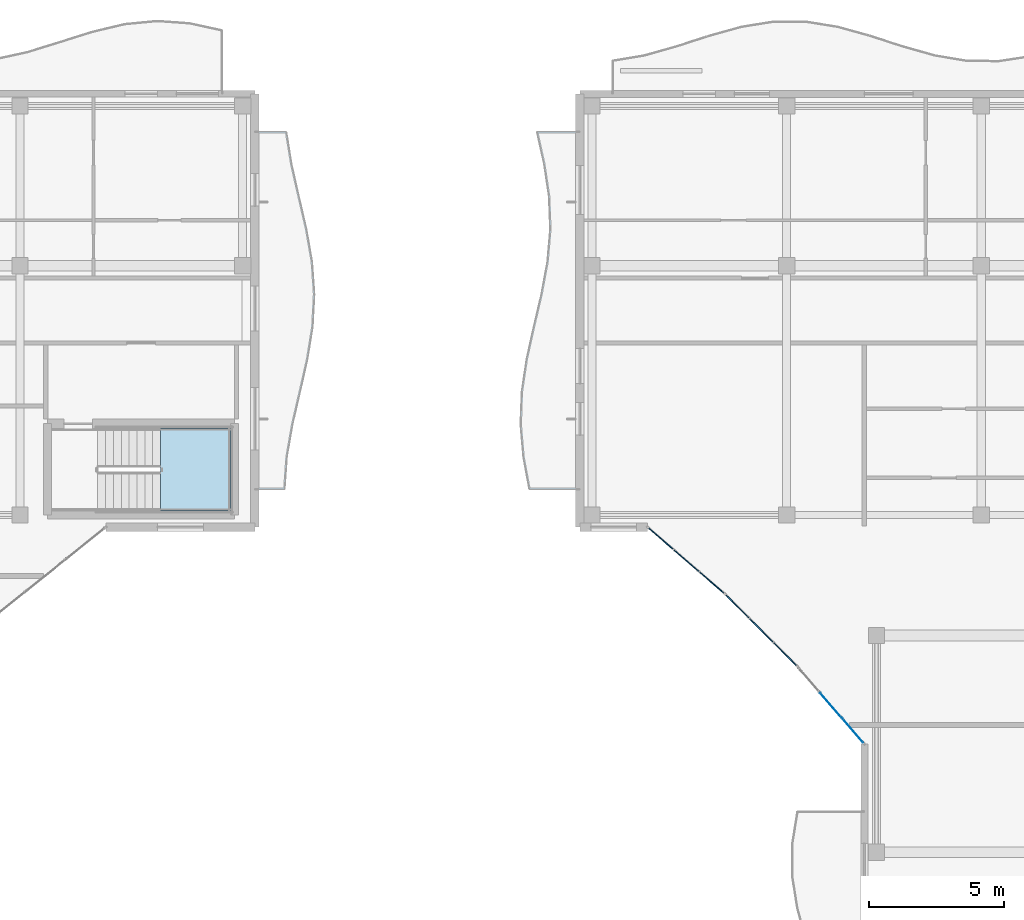
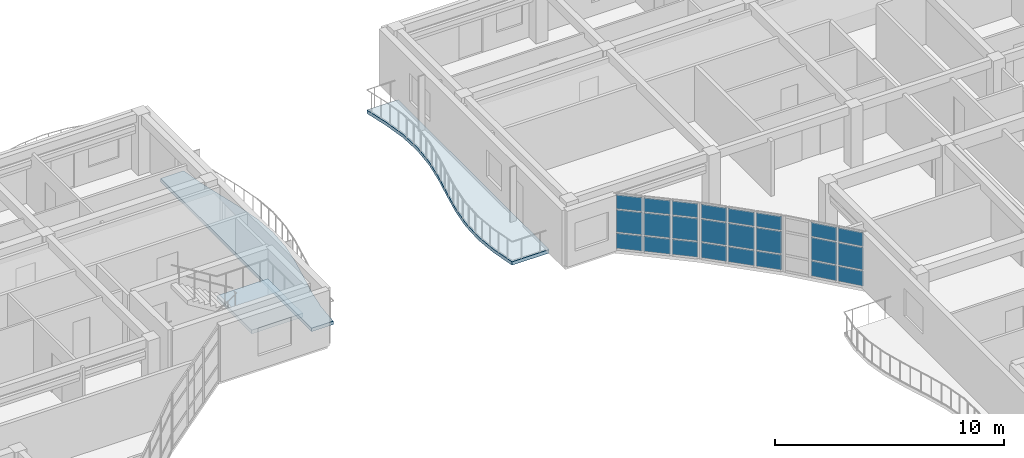
# One storey, part 26 of 71: 24 plates, 3 slabs, 4 elements without a shape of their own.
"""IFC4 building model written with IfcOpenShell, lengths in metres."""

import ifcopenshell
import ifcopenshell.guid

model = None  # the IFC model being written
_history = None  # IfcOwnerHistory: only IFC2X3 demands one
_inside = {}  # id of a spatial element -> (the spatial element, [elements in it])
_under = {}  # id of a project, library or spatial element -> (it, [spatial elements below it])
_declared = {}  # id of a project -> (the project, [libraries it declares])
_typed = {}  # id of a type object -> (the type object, [elements of that type])
_made_of = {}  # id of a material, layer set ... -> (it, [elements and type objects made of it])


def new_model(schema):
    """Start an empty IFC model of exactly this schema.

    Asked for "IFC4X3", IfcOpenShell would pick the latest addendum, in which some entities
    have other attributes; the version numbers below select the first issue.
    IFC2X3 requires an IfcOwnerHistory on every rooted entity: one is made here for all.
    """
    global model, _history
    if schema == "IFC4X3":
        model = ifcopenshell.file(schema_version=(4, 3, 0, 0))
    else:
        model = ifcopenshell.file(schema=schema)
    _inside.clear()
    _under.clear()
    _declared.clear()
    _typed.clear()
    _made_of.clear()
    _history = None
    if model.schema == "IFC2X3":
        org = make("IfcOrganization", Name="unknown")
        user = make(
            "IfcPersonAndOrganization",
            ThePerson=make("IfcPerson", FamilyName="unknown"),
            TheOrganization=org,
        )
        app = make(
            "IfcApplication",
            ApplicationDeveloper=org,
            Version="unknown",
            ApplicationFullName="unknown",
            ApplicationIdentifier="unknown",
        )
        _history = make(
            "IfcOwnerHistory",
            OwningUser=user,
            OwningApplication=app,
            ChangeAction="ADDED",
            CreationDate=0,
        )
    return model


def make(cls, **values):
    """One entity of the class cls with the attributes given. An attribute that is None is left unset."""
    return model.create_entity(
        cls, **{name: value for name, value in values.items() if value is not None}
    )


def rooted(cls, **values):
    """An entity with a GlobalId (a new one), such as an element, a storey or a relation."""
    return make(cls, GlobalId=ifcopenshell.guid.new(), OwnerHistory=_history, **values)


def si_unit(unit_type, name, prefix=None):
    """IfcSIUnit, for example si_unit("LENGTHUNIT", "METRE", prefix="MILLI")."""
    return make("IfcSIUnit", UnitType=unit_type, Prefix=prefix, Name=name)


def assignment(units):
    """IfcUnitAssignment: the units of a project."""
    return None if units is None else make("IfcUnitAssignment", Units=units)


def point(xyz):
    """IfcCartesianPoint."""
    return None if xyz is None else make("IfcCartesianPoint", Coordinates=xyz)


def direction(xyz):
    """IfcDirection."""
    return None if xyz is None else make("IfcDirection", DirectionRatios=xyz)


def frame(location, z_axis=None, x_axis=None):
    """IfcAxis2Placement3D, a coordinate frame: its origin and axes. An axis left out is left unset."""
    return make(
        "IfcAxis2Placement3D",
        Location=point(location),
        Axis=direction(z_axis),
        RefDirection=direction(x_axis),
    )


def frame_2d(location, x_axis=None):
    """IfcAxis2Placement2D, a coordinate frame in the plane: its origin and x axis."""
    return make(
        "IfcAxis2Placement2D", Location=point(location), RefDirection=direction(x_axis)
    )


def origin():
    """The frame at (0, 0, 0) with its axes left unset."""
    return frame((0.0, 0.0, 0.0))


def origin_2d():
    """The frame at (0, 0) in the plane with its x axis left unset."""
    return frame_2d((0.0, 0.0))


def place(relative_to, where):
    """IfcLocalPlacement: puts the frame where relative to a parent placement (None: the world)."""
    return make(
        "IfcLocalPlacement", PlacementRelTo=relative_to, RelativePlacement=where
    )


def context(
    kind, dimensions, precision=None, world=None, true_north=None, identifier=None
):
    """IfcGeometricRepresentationContext, for example the 3D "Model" context."""
    return make(
        "IfcGeometricRepresentationContext",
        ContextIdentifier=identifier,
        ContextType=kind,
        CoordinateSpaceDimension=dimensions,
        Precision=precision,
        WorldCoordinateSystem=world,
        TrueNorth=true_north,
    )


def subcontext(parent, identifier, kind, view, scale=None):
    """IfcGeometricRepresentationSubContext, for example "Body" below "Model"."""
    return make(
        "IfcGeometricRepresentationSubContext",
        ContextIdentifier=identifier,
        ContextType=kind,
        ParentContext=parent,
        TargetScale=scale,
        TargetView=view,
    )


def project(units=None, contexts=None):
    """IfcProject with its units and contexts."""
    return rooted(
        "IfcProject",
        Name="project",
        RepresentationContexts=contexts,
        UnitsInContext=assignment(units),
    )


def spatial(cls, under=None, at=None, **own):
    """A site, building, storey or space (cls), placed at a placement, below another one or the project."""
    s = rooted(cls, ObjectPlacement=at, **own)
    if under is not None:
        _under.setdefault(under.id(), (under, []))[1].append(s)
    return s


def polyline(points):
    """IfcPolyline through the points."""
    return make("IfcPolyline", Points=[point(p) for p in points])


def profile(cls, at=None, kind="AREA", **sizes):
    """A parametric profile (cls). Its sizes go by their IFC names, for example OverallWidth=200.0."""
    return make(cls, ProfileType=kind, Position=at, **sizes)


def rectangle(**sizes):
    """IfcRectangleProfileDef."""
    return profile("IfcRectangleProfileDef", **sizes)


def outline(outer, holes=None, kind="AREA"):
    """IfcArbitraryClosedProfileDef: a profile drawn as a closed curve; with holes, ...WithVoids."""
    if holes is None:
        return make("IfcArbitraryClosedProfileDef", ProfileType=kind, OuterCurve=outer)
    return make(
        "IfcArbitraryProfileDefWithVoids",
        ProfileType=kind,
        OuterCurve=outer,
        InnerCurves=holes,
    )


def extrude(swept, where, along, depth):
    """IfcExtrudedAreaSolid: the profile swept, set in the frame where, extruded along a direction by depth."""
    return make(
        "IfcExtrudedAreaSolid",
        SweptArea=swept,
        Position=where,
        ExtrudedDirection=direction(along),
        Depth=depth,
    )


def shape(context_of_items, identifier, shape_type, items):
    """IfcShapeRepresentation: the items that make up one representation, for example the "Body"."""
    return make(
        "IfcShapeRepresentation",
        ContextOfItems=context_of_items,
        RepresentationIdentifier=identifier,
        RepresentationType=shape_type,
        Items=items,
    )


def material(Name=None, Category=None):
    """IfcMaterial."""
    return make("IfcMaterial", Name=Name, Category=Category)


def layer(
    of_material, thickness, ventilated=None, Name=None, Category=None, Priority=None
):
    """IfcMaterialLayer: one layer of a wall or slab, of a material (None: an air gap)."""
    return make(
        "IfcMaterialLayer",
        Material=of_material,
        LayerThickness=thickness,
        IsVentilated=ventilated,
        Name=Name,
        Category=Category,
        Priority=Priority,
    )


def layer_set(layers, Name=None):
    """IfcMaterialLayerSet."""
    return make("IfcMaterialLayerSet", MaterialLayers=layers, LayerSetName=Name)


def made_of(thing, what):
    """Note that an element or type object is made of a material, layer set ...; save() writes the relation."""
    if what is not None:
        _made_of.setdefault(what.id(), (what, []))[1].append(thing)
    return thing


def type_object(cls, material=None, **own):
    """A type object (cls), such as IfcWallType, which elements share."""
    return made_of(rooted(cls, **own), material)


def element(
    cls,
    number,
    at=None,
    inside=None,
    cuts=None,
    type_object=None,
    material=None,
    context=None,
    identifier="Body",
    shape_type=None,
    held_by="IfcProductDefinitionShape",
    body=None,
    shapes=None,
    **own,
):
    """One element of the class cls, such as IfcWall. Its Tag is "e" and its number.

    at: its placement. inside: the storey or other place that contains it. cuts: it is an
    opening in that element (IfcRelVoidsElement). A single representation is given by context,
    identifier, shape_type and body (its items); several are given by shapes. held_by: the class
    of the entity that holds the representations. save() writes the other relations.
    """
    e = rooted(cls, Tag="e%d" % number, ObjectPlacement=at, **own)
    if body is not None:
        shapes = [shape(context, identifier, shape_type, body)]
    if shapes is not None:
        e.Representation = make(held_by, Representations=shapes)
    if inside is not None:
        _inside.setdefault(inside.id(), (inside, []))[1].append(e)
    if cuts is not None:
        rooted(
            "IfcRelVoidsElement", RelatingBuildingElement=cuts, RelatedOpeningElement=e
        )
    if type_object is not None:
        _typed.setdefault(type_object.id(), (type_object, []))[1].append(e)
    return made_of(e, material)


def aggregate(whole, parts):
    """IfcRelAggregates: a whole, such as a stair, and the parts it consists of."""
    return rooted("IfcRelAggregates", RelatingObject=whole, RelatedObjects=parts)


def save(model, path):
    """Write the relations noted so far, then the file.

    IfcRelAggregates (storeys below a building ...), IfcRelContainedInSpatialStructure (elements
    in a storey), IfcRelDefinesByType, IfcRelAssociatesMaterial and IfcRelDeclares: one each for
    every whole, place, type object, material and project.
    """
    for whole, parts in _under.values():
        aggregate(whole, parts)
    for where, things in _inside.values():
        rooted(
            "IfcRelContainedInSpatialStructure",
            RelatedElements=things,
            RelatingStructure=where,
        )
    for kind, things in _typed.values():
        rooted("IfcRelDefinesByType", RelatedObjects=things, RelatingType=kind)
    for what, things in _made_of.values():
        rooted("IfcRelAssociatesMaterial", RelatedObjects=things, RelatingMaterial=what)
    for by, libraries in _declared.values():
        rooted("IfcRelDeclares", RelatingContext=by, RelatedDefinitions=libraries)
    model.write(path)


model = new_model("IFC4")

# Units and contexts
model_context = context("Model", 3, precision=1e-05, world=origin(), true_north=direction((0.0, 1.0)))
body_context = subcontext(model_context, "Body", "Model", "MODEL_VIEW")
ifc_project = project(units=[si_unit("LENGTHUNIT", "METRE"), si_unit("AREAUNIT", "SQUARE_METRE"), si_unit("VOLUMEUNIT", "CUBIC_METRE"), si_unit("PLANEANGLEUNIT", "RADIAN"), si_unit("MASSUNIT", "GRAM", prefix="KILO")], contexts=[model_context])

# Site, building, storey
site_placement = place(None, origin())
site = spatial("IfcSite", under=ifc_project, at=site_placement, CompositionType="ELEMENT")
building_placement = place(site_placement, origin())
building = spatial("IfcBuilding", under=site, at=building_placement, Name="Keldmere Railside Commons", CompositionType="ELEMENT")
storey_placement = place(building_placement, frame((0.0, 0.0, 20.159912109375)))
storey = spatial("IfcBuildingStorey", under=building, at=storey_placement, Name="L06", CompositionType="ELEMENT", Elevation=20.159912109375)

# Curtain wall, plates
ifc_material_1 = material(Name="Thermally Broken Aluminium", Category="aluminium")
ifc_layer_1 = layer(ifc_material_1, 0.159912109375, Name="Court Chord Wintergarden CW 4800x2850")
ifc_layer_set_1 = layer_set([ifc_layer_1], Name="Thermally Broken Aluminium")
curtain_wall_type_1 = type_object("IfcCurtainWallType", Name="Court Chord Wintergarden CW 4800x2850", PredefinedType="NOTDEFINED", material=ifc_layer_set_1)
curtain_wall_1_placement = place(storey_placement, origin())
curtain_wall_1 = element("IfcCurtainWall", 1, at=curtain_wall_1_placement, inside=storey, type_object=curtain_wall_type_1, Name="CW-12 CW-L06-124", PredefinedType="NOTDEFINED")
ifc_material_2 = material(Name="Low-E Insulated Double Glazing", Category="glass")
ifc_layer_2 = layer(ifc_material_2, 0.033935546875, Name="Acoustic Laminated Vision Panel 34")
ifc_layer_set_2 = layer_set([ifc_layer_2], Name="Low-E Insulated Double Glazing")
plate_type_1 = type_object("IfcPlateType", Name="Acoustic Laminated Vision Panel 34", PredefinedType="CURTAIN_PANEL", material=ifc_layer_set_2)
plate_1_placement = place(storey_placement, frame((98.369384765625, 97.952392578125, 0.06494140625), z_axis=(0.0, 0.0, 1.0), x_axis=(-0.756596767584, 0.653881741053, 0.0)))
plate_1 = element("IfcPlate", 2, at=plate_1_placement, type_object=plate_type_1, Name="CW-12 panel 1.1", PredefinedType="CURTAIN_PANEL", context=body_context, shape_type="SweptSolid", body=[
    extrude(rectangle(XDim=1.16162109375, YDim=0.033935546875, at=origin_2d()), origin(), (0.0, 0.0, 1.0), 0.802490234375),
])
plate_2_placement = place(storey_placement, frame((98.369384765625, 97.952392578125, 0.9326171875), z_axis=(0.0, 0.0, 1.0), x_axis=(-0.756596767584, 0.653881741053, 0.0)))
plate_2 = element("IfcPlate", 3, at=plate_2_placement, type_object=plate_type_1, Name="CW-12 panel 1.2", PredefinedType="CURTAIN_PANEL", context=body_context, shape_type="SweptSolid", body=[
    extrude(rectangle(XDim=1.16162109375, YDim=0.033935546875, at=origin_2d()), origin(), (0.0, 0.0, 1.0), 1.18505859375),
])
plate_3_placement = place(storey_placement, frame((98.369384765625, 97.952392578125, 2.1826171875), z_axis=(0.0, 0.0, 1.0), x_axis=(-0.756596767584, 0.653881741053, 0.0)))
plate_3 = element("IfcPlate", 4, at=plate_3_placement, type_object=plate_type_1, Name="CW-12 panel 1.3", PredefinedType="CURTAIN_PANEL", context=body_context, shape_type="SweptSolid", body=[
    extrude(rectangle(XDim=1.16162109375, YDim=0.033935546875, at=origin_2d()), origin(), (0.0, 0.0, 1.0), 0.732421875),
])
plate_4_placement = place(storey_placement, frame((97.428955078125, 98.764892578125, 0.06494140625), z_axis=(0.0, 0.0, 1.0), x_axis=(-0.756596767584, 0.653881741053, 0.0)))
plate_4 = element("IfcPlate", 5, at=plate_4_placement, type_object=plate_type_1, Name="CW-12 panel 2.1", PredefinedType="CURTAIN_PANEL", context=body_context, shape_type="SweptSolid", body=[
    extrude(rectangle(XDim=1.194091796875, YDim=0.033935546875, at=origin_2d()), origin(), (0.0, 0.0, 1.0), 0.802490234375),
])
plate_5_placement = place(storey_placement, frame((97.428955078125, 98.764892578125, 0.9326171875), z_axis=(0.0, 0.0, 1.0), x_axis=(-0.756596767584, 0.653881741053, 0.0)))
plate_5 = element("IfcPlate", 6, at=plate_5_placement, type_object=plate_type_1, Name="CW-12 panel 2.2", PredefinedType="CURTAIN_PANEL", context=body_context, shape_type="SweptSolid", body=[
    extrude(rectangle(XDim=1.194091796875, YDim=0.033935546875, at=origin_2d()), origin(), (0.0, 0.0, 1.0), 1.18505859375),
])
plate_6_placement = place(storey_placement, frame((97.428955078125, 98.764892578125, 2.1826171875), z_axis=(0.0, 0.0, 1.0), x_axis=(-0.756596767584, 0.653881741053, 0.0)))
plate_6 = element("IfcPlate", 7, at=plate_6_placement, type_object=plate_type_1, Name="CW-12 panel 2.3", PredefinedType="CURTAIN_PANEL", context=body_context, shape_type="SweptSolid", body=[
    extrude(rectangle(XDim=1.194091796875, YDim=0.033935546875, at=origin_2d()), origin(), (0.0, 0.0, 1.0), 0.732421875),
])
plate_7_placement = place(storey_placement, frame((96.488525390625, 99.57763671875, 0.06494140625), z_axis=(0.0, 0.0, 1.0), x_axis=(-0.756596767584, 0.653881741053, 0.0)))
plate_7 = element("IfcPlate", 8, at=plate_7_placement, type_object=plate_type_1, Name="CW-12 panel 3.1", PredefinedType="CURTAIN_PANEL", context=body_context, shape_type="SweptSolid", body=[
    extrude(rectangle(XDim=1.16162109375, YDim=0.033935546875, at=origin_2d()), origin(), (0.0, 0.0, 1.0), 0.802490234375),
])
plate_8_placement = place(storey_placement, frame((96.488525390625, 99.57763671875, 0.9326171875), z_axis=(0.0, 0.0, 1.0), x_axis=(-0.756596767584, 0.653881741053, 0.0)))
plate_8 = element("IfcPlate", 9, at=plate_8_placement, type_object=plate_type_1, Name="CW-12 panel 3.2", PredefinedType="CURTAIN_PANEL", context=body_context, shape_type="SweptSolid", body=[
    extrude(rectangle(XDim=1.16162109375, YDim=0.033935546875, at=origin_2d()), origin(), (0.0, 0.0, 1.0), 1.18505859375),
])
plate_9_placement = place(storey_placement, frame((96.488525390625, 99.57763671875, 2.1826171875), z_axis=(0.0, 0.0, 1.0), x_axis=(-0.756596767584, 0.653881741053, 0.0)))
plate_9 = element("IfcPlate", 10, at=plate_9_placement, type_object=plate_type_1, Name="CW-12 panel 3.3", PredefinedType="CURTAIN_PANEL", context=body_context, shape_type="SweptSolid", body=[
    extrude(rectangle(XDim=1.16162109375, YDim=0.033935546875, at=origin_2d()), origin(), (0.0, 0.0, 1.0), 0.732421875),
])
aggregate(curtain_wall_1, [plate_1, plate_2, plate_3, plate_4, plate_5, plate_6, plate_7, plate_8, plate_9])

ifc_layer_3 = layer(ifc_material_1, 0.159912109375, Name="Court Chord Wintergarden CW 5400x2850")
ifc_layer_set_3 = layer_set([ifc_layer_3], Name="Thermally Broken Aluminium")
curtain_wall_type_2 = type_object("IfcCurtainWallType", Name="Court Chord Wintergarden CW 5400x2850", PredefinedType="NOTDEFINED", material=ifc_layer_set_3)
curtain_wall_2_placement = place(storey_placement, origin())
curtain_wall_2 = element("IfcCurtainWall", 11, at=curtain_wall_2_placement, inside=storey, type_object=curtain_wall_type_2, Name="CW-13 CW-L06-125", PredefinedType="NOTDEFINED")
ifc_layer_4 = layer(ifc_material_2, 0.031982421875, Name="Clerestory Solar-Control Vision Panel 32")
ifc_layer_set_4 = layer_set([ifc_layer_4], Name="Low-E Insulated Double Glazing")
plate_type_2 = type_object("IfcPlateType", Name="Clerestory Solar-Control Vision Panel 32", PredefinedType="CURTAIN_PANEL", material=ifc_layer_set_4)
plate_10_placement = place(storey_placement, frame((101.0732421875, 95.31494140625, 0.06494140625), z_axis=(0.0, 0.0, 1.0), x_axis=(-0.707106781187, 0.707106781187, 0.0)))
plate_10 = element("IfcPlate", 12, at=plate_10_placement, type_object=plate_type_2, Name="CW-13 panel 1.1", PredefinedType="CURTAIN_PANEL", context=body_context, shape_type="SweptSolid", body=[
    extrude(rectangle(XDim=1.162109375, YDim=0.031982421875, at=origin_2d()), origin(), (0.0, 0.0, 1.0), 0.802490234375),
])
plate_11_placement = place(storey_placement, frame((101.0732421875, 95.31494140625, 0.9326171875), z_axis=(0.0, 0.0, 1.0), x_axis=(-0.707106781187, 0.707106781187, 0.0)))
plate_11 = element("IfcPlate", 13, at=plate_11_placement, type_object=plate_type_2, Name="CW-13 panel 1.2", PredefinedType="CURTAIN_PANEL", context=body_context, shape_type="SweptSolid", body=[
    extrude(rectangle(XDim=1.162109375, YDim=0.031982421875, at=origin_2d()), origin(), (0.0, 0.0, 1.0), 1.18505859375),
])
plate_12_placement = place(storey_placement, frame((101.0732421875, 95.31494140625, 2.1826171875), z_axis=(0.0, 0.0, 1.0), x_axis=(-0.707106781187, 0.707106781187, 0.0)))
plate_12 = element("IfcPlate", 14, at=plate_12_placement, type_object=plate_type_2, Name="CW-13 panel 1.3", PredefinedType="CURTAIN_PANEL", context=body_context, shape_type="SweptSolid", body=[
    extrude(rectangle(XDim=1.162109375, YDim=0.031982421875, at=origin_2d()), origin(), (0.0, 0.0, 1.0), 0.732421875),
])
plate_13_placement = place(storey_placement, frame((100.194091796875, 96.194091796875, 0.06494140625), z_axis=(0.0, 0.0, 1.0), x_axis=(-0.707106781187, 0.707106781187, 0.0)))
plate_13 = element("IfcPlate", 15, at=plate_13_placement, type_object=plate_type_2, Name="CW-13 panel 2.1", PredefinedType="CURTAIN_PANEL", context=body_context, shape_type="SweptSolid", body=[
    extrude(rectangle(XDim=1.194580078125, YDim=0.031982421875, at=origin_2d()), origin(), (0.0, 0.0, 1.0), 0.802490234375),
])
plate_14_placement = place(storey_placement, frame((100.194091796875, 96.194091796875, 0.9326171875), z_axis=(0.0, 0.0, 1.0), x_axis=(-0.707106781187, 0.707106781187, 0.0)))
plate_14 = element("IfcPlate", 16, at=plate_14_placement, type_object=plate_type_2, Name="CW-13 panel 2.2", PredefinedType="CURTAIN_PANEL", context=body_context, shape_type="SweptSolid", body=[
    extrude(rectangle(XDim=1.194580078125, YDim=0.031982421875, at=origin_2d()), origin(), (0.0, 0.0, 1.0), 1.18505859375),
])
plate_15_placement = place(storey_placement, frame((100.194091796875, 96.194091796875, 2.1826171875), z_axis=(0.0, 0.0, 1.0), x_axis=(-0.707106781187, 0.707106781187, 0.0)))
plate_15 = element("IfcPlate", 17, at=plate_15_placement, type_object=plate_type_2, Name="CW-13 panel 2.3", PredefinedType="CURTAIN_PANEL", context=body_context, shape_type="SweptSolid", body=[
    extrude(rectangle(XDim=1.194580078125, YDim=0.031982421875, at=origin_2d()), origin(), (0.0, 0.0, 1.0), 0.732421875),
])
plate_16_placement = place(storey_placement, frame((99.31494140625, 97.0732421875, 0.06494140625), z_axis=(0.0, 0.0, 1.0), x_axis=(-0.707106781187, 0.707106781187, 0.0)))
plate_16 = element("IfcPlate", 18, at=plate_16_placement, type_object=plate_type_2, Name="CW-13 panel 3.1", PredefinedType="CURTAIN_PANEL", context=body_context, shape_type="SweptSolid", body=[
    extrude(rectangle(XDim=1.162109375, YDim=0.031982421875, at=origin_2d()), origin(), (0.0, 0.0, 1.0), 0.802490234375),
])
plate_17_placement = place(storey_placement, frame((99.31494140625, 97.0732421875, 0.9326171875), z_axis=(0.0, 0.0, 1.0), x_axis=(-0.707106781187, 0.707106781187, 0.0)))
plate_17 = element("IfcPlate", 19, at=plate_17_placement, type_object=plate_type_2, Name="CW-13 panel 3.2", PredefinedType="CURTAIN_PANEL", context=body_context, shape_type="SweptSolid", body=[
    extrude(rectangle(XDim=1.162109375, YDim=0.031982421875, at=origin_2d()), origin(), (0.0, 0.0, 1.0), 1.18505859375),
])
plate_18_placement = place(storey_placement, frame((99.31494140625, 97.0732421875, 2.1826171875), z_axis=(0.0, 0.0, 1.0), x_axis=(-0.707106781187, 0.707106781187, 0.0)))
plate_18 = element("IfcPlate", 20, at=plate_18_placement, type_object=plate_type_2, Name="CW-13 panel 3.3", PredefinedType="CURTAIN_PANEL", context=body_context, shape_type="SweptSolid", body=[
    extrude(rectangle(XDim=1.162109375, YDim=0.031982421875, at=origin_2d()), origin(), (0.0, 0.0, 1.0), 0.732421875),
])
aggregate(curtain_wall_2, [plate_10, plate_11, plate_12, plate_13, plate_14, plate_15, plate_16, plate_17, plate_18])

# Stair, slab
ifc_material_3 = material(Name="Concrete H-30 (C30/37)", Category="concrete")
stair_type = type_object("IfcStairType", Name="Residential Core Dogleg Stair 1450", PredefinedType="HALF_TURN_STAIR", material=ifc_material_3)
stair_placement = place(storey_placement, origin())
stair = element("IfcStair", 21, at=stair_placement, inside=storey, type_object=stair_type, Name="L06 Block C Secondary Escape Stair 2", PredefinedType="HALF_TURN_STAIR")
ifc_layer_5 = layer(ifc_material_3, 0.199951171875, Name="Enclosed Stair Landing Slab 200")
ifc_layer_set_5 = layer_set([ifc_layer_5], Name="Concrete H-30 (C30/37)")
slab_type_1 = type_object("IfcSlabType", Name="Enclosed Stair Landing Slab 200", PredefinedType="LANDING", material=ifc_layer_set_5)
slab_1_placement = place(storey_placement, frame((0.0, 0.0, 1.400146484375)))
slab_1 = element("IfcSlab", 22, at=slab_1_placement, type_object=slab_type_1, Name="ST-C2 landing 1", PredefinedType="LANDING", context=body_context, shape_type="SweptSolid", body=[
    extrude(outline(polyline([(78.02001953125, 100.60009765625), (80.60009765625, 100.60009765625), (80.60009765625, 103.64990234375), (78.02001953125, 103.64990234375), (78.02001953125, 100.60009765625)])), origin(), (0.0, 0.0, 1.0), 0.199951171875),
])
aggregate(stair, [slab_1])

# Curtain wall, plates
curtain_wall_3_placement = place(storey_placement, origin())
curtain_wall_3 = element("IfcCurtainWall", 23, at=curtain_wall_3_placement, inside=storey, type_object=curtain_wall_type_1, Name="CW-12 CW-L06-126", PredefinedType="NOTDEFINED")
ifc_layer_6 = layer(ifc_material_2, 0.028076171875, Name="Low-E Vision Glazing Panel 28")
ifc_layer_set_6 = layer_set([ifc_layer_6], Name="Low-E Insulated Double Glazing")
plate_type_3 = type_object("IfcPlateType", Name="Low-E Vision Glazing Panel 28", PredefinedType="CURTAIN_PANEL", material=ifc_layer_set_6)
plate_19_placement = place(storey_placement, frame((103.57763671875, 92.488525390625, 0.06494140625), z_axis=(0.0, 0.0, 1.0), x_axis=(-0.653881741053, 0.756596767584, 0.0)))
plate_19 = element("IfcPlate", 24, at=plate_19_placement, type_object=plate_type_3, Name="CW-12 panel 1.1", PredefinedType="CURTAIN_PANEL", context=body_context, shape_type="SweptSolid", body=[
    extrude(rectangle(XDim=1.16162109375, YDim=0.028076171875, at=origin_2d()), origin(), (0.0, 0.0, 1.0), 0.802490234375),
])
plate_20_placement = place(storey_placement, frame((103.57763671875, 92.488525390625, 0.9326171875), z_axis=(0.0, 0.0, 1.0), x_axis=(-0.653881741053, 0.756596767584, 0.0)))
plate_20 = element("IfcPlate", 25, at=plate_20_placement, type_object=plate_type_3, Name="CW-12 panel 1.2", PredefinedType="CURTAIN_PANEL", context=body_context, shape_type="SweptSolid", body=[
    extrude(rectangle(XDim=1.16162109375, YDim=0.028076171875, at=origin_2d()), origin(), (0.0, 0.0, 1.0), 1.18505859375),
])
plate_21_placement = place(storey_placement, frame((103.57763671875, 92.488525390625, 2.1826171875), z_axis=(0.0, 0.0, 1.0), x_axis=(-0.653881741053, 0.756596767584, 0.0)))
plate_21 = element("IfcPlate", 26, at=plate_21_placement, type_object=plate_type_3, Name="CW-12 panel 1.3", PredefinedType="CURTAIN_PANEL", context=body_context, shape_type="SweptSolid", body=[
    extrude(rectangle(XDim=1.16162109375, YDim=0.028076171875, at=origin_2d()), origin(), (0.0, 0.0, 1.0), 0.732421875),
])
plate_22_placement = place(storey_placement, frame((102.764892578125, 93.428955078125, 0.06494140625), z_axis=(0.0, 0.0, 1.0), x_axis=(-0.653881741053, 0.756596767584, 0.0)))
plate_22 = element("IfcPlate", 27, at=plate_22_placement, type_object=plate_type_3, Name="CW-12 panel 2.1", PredefinedType="CURTAIN_PANEL", context=body_context, shape_type="SweptSolid", body=[
    extrude(rectangle(XDim=1.194091796875, YDim=0.028076171875, at=origin_2d()), origin(), (0.0, 0.0, 1.0), 0.802490234375),
])
plate_23_placement = place(storey_placement, frame((102.764892578125, 93.428955078125, 0.9326171875), z_axis=(0.0, 0.0, 1.0), x_axis=(-0.653881741053, 0.756596767584, 0.0)))
plate_23 = element("IfcPlate", 28, at=plate_23_placement, type_object=plate_type_3, Name="CW-12 panel 2.2", PredefinedType="CURTAIN_PANEL", context=body_context, shape_type="SweptSolid", body=[
    extrude(rectangle(XDim=1.194091796875, YDim=0.028076171875, at=origin_2d()), origin(), (0.0, 0.0, 1.0), 1.18505859375),
])
plate_24_placement = place(storey_placement, frame((102.764892578125, 93.428955078125, 2.1826171875), z_axis=(0.0, 0.0, 1.0), x_axis=(-0.653881741053, 0.756596767584, 0.0)))
plate_24 = element("IfcPlate", 29, at=plate_24_placement, type_object=plate_type_3, Name="CW-12 panel 2.3", PredefinedType="CURTAIN_PANEL", context=body_context, shape_type="SweptSolid", body=[
    extrude(rectangle(XDim=1.194091796875, YDim=0.028076171875, at=origin_2d()), origin(), (0.0, 0.0, 1.0), 0.732421875),
])
aggregate(curtain_wall_3, [plate_19, plate_20, plate_21, plate_22, plate_23, plate_24])

# Slabs
ifc_material_4 = material(Name="White Precast Concrete H-35 (C35/45)", Category="concrete")
ifc_layer_7 = layer(ifc_material_4, 0.179931640625, Name="Sinusoidal Wave Balcony Slab 180")
ifc_layer_set_7 = layer_set([ifc_layer_7], Name="White Precast Concrete H-35 (C35/45)")
slab_type_2 = type_object("IfcSlabType", Name="Sinusoidal Wave Balcony Slab 180", PredefinedType="FLOOR", material=ifc_layer_set_7)
slab_2_placement = place(storey_placement, frame((0.0, 0.0, -0.179931640625)))
element("IfcSlab", 30, at=slab_2_placement, inside=storey, type_object=slab_type_2, Name="WB-1 C L06 WE Wave Balcony", PredefinedType="FLOOR", context=body_context, shape_type="SweptSolid", body=[
    extrude(outline(polyline([(82.600341796875, 101.39990234375), (82.684326171875, 102.60009765625), (82.89306640625, 103.800048828125), (83.170654296875, 105.0), (83.442626953125, 106.199951171875), (83.63623046875, 107.39990234375), (83.69970703125, 108.60009765625), (83.615478515625, 109.800048828125), (83.406982421875, 111.0), (83.12939453125, 112.199951171875), (82.857421875, 113.39990234375), (82.663818359375, 114.60009765625), (81.5, 114.60009765625), (81.5, 113.39990234375), (81.5, 112.199951171875), (81.5, 111.0), (81.5, 109.800048828125), (81.5, 108.60009765625), (81.5, 107.39990234375), (81.5, 106.199951171875), (81.5, 105.0), (81.5, 103.800048828125), (81.5, 102.60009765625), (81.5, 101.39990234375), (82.600341796875, 101.39990234375)])), origin(), (0.0, 0.0, 1.0), 0.179931640625),
])
slab_3_placement = place(storey_placement, frame((0.0, 0.0, -0.179931640625)))
element("IfcSlab", 31, at=slab_3_placement, inside=storey, type_object=slab_type_2, Name="WB-1 B L06 WW Wave Balcony", PredefinedType="FLOOR", context=body_context, shape_type="SweptSolid", body=[
    extrude(outline(polyline([(93.5, 101.39990234375), (93.5, 102.60009765625), (93.5, 103.800048828125), (93.5, 105.0), (93.5, 106.199951171875), (93.5, 107.39990234375), (93.5, 108.60009765625), (93.5, 109.800048828125), (93.5, 111.0), (93.5, 112.199951171875), (93.5, 113.39990234375), (93.5, 114.60009765625), (91.90869140625, 114.60009765625), (92.17431640625, 113.39990234375), (92.352783203125, 112.199951171875), (92.39697265625, 111.0), (92.294189453125, 109.800048828125), (92.07275390625, 108.60009765625), (91.79150390625, 107.39990234375), (91.52587890625, 106.199951171875), (91.34716796875, 105.0), (91.302978515625, 103.800048828125), (91.40576171875, 102.60009765625), (91.627197265625, 101.39990234375), (93.5, 101.39990234375)])), origin(), (0.0, 0.0, 1.0), 0.179931640625),
])

save(model, "model.ifc")
